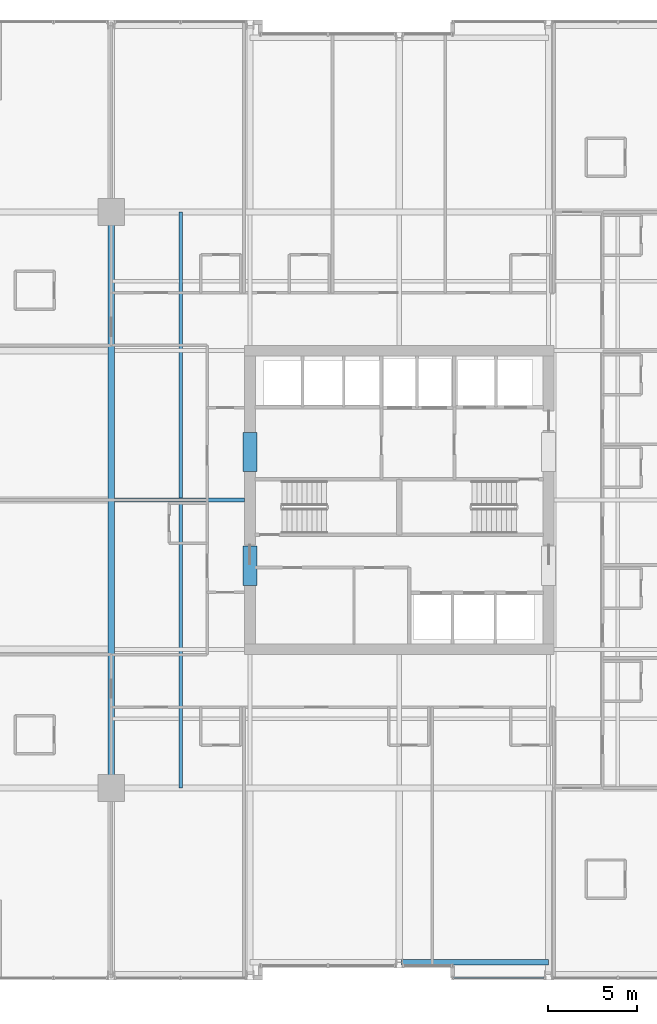
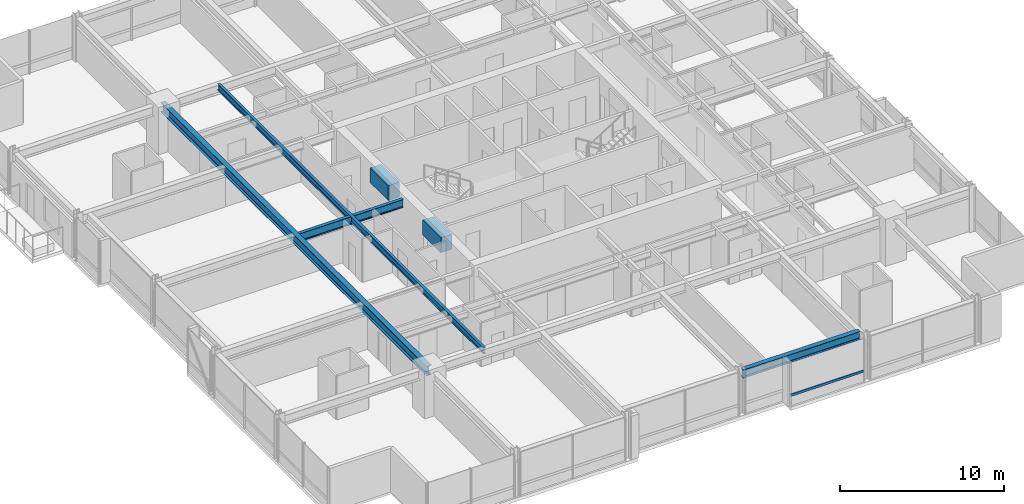
# One storey, part 10 of 34: 6 beams, 1 member, 1 element without a shape of its own.
"""IFC4 building model written with IfcOpenShell, lengths in metres."""

import ifcopenshell
import ifcopenshell.guid

model = None  # the IFC model being written
_history = None  # IfcOwnerHistory: only IFC2X3 demands one
_inside = {}  # id of a spatial element -> (the spatial element, [elements in it])
_under = {}  # id of a project, library or spatial element -> (it, [spatial elements below it])
_declared = {}  # id of a project -> (the project, [libraries it declares])
_typed = {}  # id of a type object -> (the type object, [elements of that type])
_made_of = {}  # id of a material, layer set ... -> (it, [elements and type objects made of it])


def new_model(schema):
    """Start an empty IFC model of exactly this schema.

    Asked for "IFC4X3", IfcOpenShell would pick the latest addendum, in which some entities
    have other attributes; the version numbers below select the first issue.
    IFC2X3 requires an IfcOwnerHistory on every rooted entity: one is made here for all.
    """
    global model, _history
    if schema == "IFC4X3":
        model = ifcopenshell.file(schema_version=(4, 3, 0, 0))
    else:
        model = ifcopenshell.file(schema=schema)
    _inside.clear()
    _under.clear()
    _declared.clear()
    _typed.clear()
    _made_of.clear()
    _history = None
    if model.schema == "IFC2X3":
        org = make("IfcOrganization", Name="unknown")
        user = make(
            "IfcPersonAndOrganization",
            ThePerson=make("IfcPerson", FamilyName="unknown"),
            TheOrganization=org,
        )
        app = make(
            "IfcApplication",
            ApplicationDeveloper=org,
            Version="unknown",
            ApplicationFullName="unknown",
            ApplicationIdentifier="unknown",
        )
        _history = make(
            "IfcOwnerHistory",
            OwningUser=user,
            OwningApplication=app,
            ChangeAction="ADDED",
            CreationDate=0,
        )
    return model


def make(cls, **values):
    """One entity of the class cls with the attributes given. An attribute that is None is left unset."""
    return model.create_entity(
        cls, **{name: value for name, value in values.items() if value is not None}
    )


def rooted(cls, **values):
    """An entity with a GlobalId (a new one), such as an element, a storey or a relation."""
    return make(cls, GlobalId=ifcopenshell.guid.new(), OwnerHistory=_history, **values)


def si_unit(unit_type, name, prefix=None):
    """IfcSIUnit, for example si_unit("LENGTHUNIT", "METRE", prefix="MILLI")."""
    return make("IfcSIUnit", UnitType=unit_type, Prefix=prefix, Name=name)


def assignment(units):
    """IfcUnitAssignment: the units of a project."""
    return None if units is None else make("IfcUnitAssignment", Units=units)


def point(xyz):
    """IfcCartesianPoint."""
    return None if xyz is None else make("IfcCartesianPoint", Coordinates=xyz)


def direction(xyz):
    """IfcDirection."""
    return None if xyz is None else make("IfcDirection", DirectionRatios=xyz)


def frame(location, z_axis=None, x_axis=None):
    """IfcAxis2Placement3D, a coordinate frame: its origin and axes. An axis left out is left unset."""
    return make(
        "IfcAxis2Placement3D",
        Location=point(location),
        Axis=direction(z_axis),
        RefDirection=direction(x_axis),
    )


def frame_2d(location, x_axis=None):
    """IfcAxis2Placement2D, a coordinate frame in the plane: its origin and x axis."""
    return make(
        "IfcAxis2Placement2D", Location=point(location), RefDirection=direction(x_axis)
    )


def origin():
    """The frame at (0, 0, 0) with its axes left unset."""
    return frame((0.0, 0.0, 0.0))


def origin_2d():
    """The frame at (0, 0) in the plane with its x axis left unset."""
    return frame_2d((0.0, 0.0))


def place(relative_to, where):
    """IfcLocalPlacement: puts the frame where relative to a parent placement (None: the world)."""
    return make(
        "IfcLocalPlacement", PlacementRelTo=relative_to, RelativePlacement=where
    )


def context(
    kind, dimensions, precision=None, world=None, true_north=None, identifier=None
):
    """IfcGeometricRepresentationContext, for example the 3D "Model" context."""
    return make(
        "IfcGeometricRepresentationContext",
        ContextIdentifier=identifier,
        ContextType=kind,
        CoordinateSpaceDimension=dimensions,
        Precision=precision,
        WorldCoordinateSystem=world,
        TrueNorth=true_north,
    )


def subcontext(parent, identifier, kind, view, scale=None):
    """IfcGeometricRepresentationSubContext, for example "Body" below "Model"."""
    return make(
        "IfcGeometricRepresentationSubContext",
        ContextIdentifier=identifier,
        ContextType=kind,
        ParentContext=parent,
        TargetScale=scale,
        TargetView=view,
    )


def project(units=None, contexts=None):
    """IfcProject with its units and contexts."""
    return rooted(
        "IfcProject",
        Name="project",
        RepresentationContexts=contexts,
        UnitsInContext=assignment(units),
    )


def spatial(cls, under=None, at=None, **own):
    """A site, building, storey or space (cls), placed at a placement, below another one or the project."""
    s = rooted(cls, ObjectPlacement=at, **own)
    if under is not None:
        _under.setdefault(under.id(), (under, []))[1].append(s)
    return s


def profile(cls, at=None, kind="AREA", **sizes):
    """A parametric profile (cls). Its sizes go by their IFC names, for example OverallWidth=200.0."""
    return make(cls, ProfileType=kind, Position=at, **sizes)


def rectangle(**sizes):
    """IfcRectangleProfileDef."""
    return profile("IfcRectangleProfileDef", **sizes)


def hollow_rectangle(**sizes):
    """IfcRectangleHollowProfileDef."""
    return profile("IfcRectangleHollowProfileDef", **sizes)


def i_section(**sizes):
    """IfcIShapeProfileDef."""
    return profile("IfcIShapeProfileDef", **sizes)


def extrude(swept, where, along, depth):
    """IfcExtrudedAreaSolid: the profile swept, set in the frame where, extruded along a direction by depth."""
    return make(
        "IfcExtrudedAreaSolid",
        SweptArea=swept,
        Position=where,
        ExtrudedDirection=direction(along),
        Depth=depth,
    )


def shape(context_of_items, identifier, shape_type, items):
    """IfcShapeRepresentation: the items that make up one representation, for example the "Body"."""
    return make(
        "IfcShapeRepresentation",
        ContextOfItems=context_of_items,
        RepresentationIdentifier=identifier,
        RepresentationType=shape_type,
        Items=items,
    )


def material(Name=None, Category=None):
    """IfcMaterial."""
    return make("IfcMaterial", Name=Name, Category=Category)


def layer(
    of_material, thickness, ventilated=None, Name=None, Category=None, Priority=None
):
    """IfcMaterialLayer: one layer of a wall or slab, of a material (None: an air gap)."""
    return make(
        "IfcMaterialLayer",
        Material=of_material,
        LayerThickness=thickness,
        IsVentilated=ventilated,
        Name=Name,
        Category=Category,
        Priority=Priority,
    )


def layer_set(layers, Name=None):
    """IfcMaterialLayerSet."""
    return make("IfcMaterialLayerSet", MaterialLayers=layers, LayerSetName=Name)


def material_profile(
    of_material, cross_section, Name=None, Category=None, Priority=None
):
    """IfcMaterialProfile: a cross section and its material."""
    return make(
        "IfcMaterialProfile",
        Name=Name,
        Material=of_material,
        Profile=cross_section,
        Priority=Priority,
        Category=Category,
    )


def profile_set(profiles, Name=None, composite=None):
    """IfcMaterialProfileSet."""
    return make(
        "IfcMaterialProfileSet",
        Name=Name,
        MaterialProfiles=profiles,
        CompositeProfile=composite,
    )


def made_of(thing, what):
    """Note that an element or type object is made of a material, layer set ...; save() writes the relation."""
    if what is not None:
        _made_of.setdefault(what.id(), (what, []))[1].append(thing)
    return thing


def type_object(cls, material=None, **own):
    """A type object (cls), such as IfcWallType, which elements share."""
    return made_of(rooted(cls, **own), material)


def element(
    cls,
    number,
    at=None,
    inside=None,
    cuts=None,
    type_object=None,
    material=None,
    context=None,
    identifier="Body",
    shape_type=None,
    held_by="IfcProductDefinitionShape",
    body=None,
    shapes=None,
    **own,
):
    """One element of the class cls, such as IfcWall. Its Tag is "e" and its number.

    at: its placement. inside: the storey or other place that contains it. cuts: it is an
    opening in that element (IfcRelVoidsElement). A single representation is given by context,
    identifier, shape_type and body (its items); several are given by shapes. held_by: the class
    of the entity that holds the representations. save() writes the other relations.
    """
    e = rooted(cls, Tag="e%d" % number, ObjectPlacement=at, **own)
    if body is not None:
        shapes = [shape(context, identifier, shape_type, body)]
    if shapes is not None:
        e.Representation = make(held_by, Representations=shapes)
    if inside is not None:
        _inside.setdefault(inside.id(), (inside, []))[1].append(e)
    if cuts is not None:
        rooted(
            "IfcRelVoidsElement", RelatingBuildingElement=cuts, RelatedOpeningElement=e
        )
    if type_object is not None:
        _typed.setdefault(type_object.id(), (type_object, []))[1].append(e)
    return made_of(e, material)


def aggregate(whole, parts):
    """IfcRelAggregates: a whole, such as a stair, and the parts it consists of."""
    return rooted("IfcRelAggregates", RelatingObject=whole, RelatedObjects=parts)


def save(model, path):
    """Write the relations noted so far, then the file.

    IfcRelAggregates (storeys below a building ...), IfcRelContainedInSpatialStructure (elements
    in a storey), IfcRelDefinesByType, IfcRelAssociatesMaterial and IfcRelDeclares: one each for
    every whole, place, type object, material and project.
    """
    for whole, parts in _under.values():
        aggregate(whole, parts)
    for where, things in _inside.values():
        rooted(
            "IfcRelContainedInSpatialStructure",
            RelatedElements=things,
            RelatingStructure=where,
        )
    for kind, things in _typed.values():
        rooted("IfcRelDefinesByType", RelatedObjects=things, RelatingType=kind)
    for what, things in _made_of.values():
        rooted("IfcRelAssociatesMaterial", RelatedObjects=things, RelatingMaterial=what)
    for by, libraries in _declared.values():
        rooted("IfcRelDeclares", RelatingContext=by, RelatedDefinitions=libraries)
    model.write(path)


model = new_model("IFC4")

# Units and contexts
model_context = context("Model", 3, precision=1e-05, world=origin(), true_north=direction((0.0, 1.0)))
body_context = subcontext(model_context, "Body", "Model", "MODEL_VIEW")
ifc_project = project(units=[si_unit("LENGTHUNIT", "METRE"), si_unit("AREAUNIT", "SQUARE_METRE"), si_unit("VOLUMEUNIT", "CUBIC_METRE"), si_unit("PLANEANGLEUNIT", "RADIAN"), si_unit("MASSUNIT", "GRAM", prefix="KILO")], contexts=[model_context])

# Site, building, storey
site_placement = place(None, origin())
site = spatial("IfcSite", under=ifc_project, at=site_placement, CompositionType="ELEMENT")
building_placement = place(site_placement, origin())
building = spatial("IfcBuilding", under=site, at=building_placement, Name="Drelvath Grand Hotel", CompositionType="ELEMENT")
storey_placement = place(building_placement, frame((0.0, 0.0, 126.800048828125)))
storey = spatial("IfcBuildingStorey", under=building, at=storey_placement, Name="L32", CompositionType="ELEMENT", Elevation=126.800048828125)

# Beams
ifc_material_1 = material(Name="Steel ASTM A992 Gr 50", Category="steel")
ifc_material_profile_1 = material_profile(ifc_material_1, i_section(OverallWidth=0.19140625, OverallDepth=0.4599609375, WebThickness=0.010009765625, FlangeThickness=0.01611328125, FilletRadius=0.01611328125, at=origin_2d()), Name="W18X55")
ifc_profile_set_1 = profile_set([ifc_material_profile_1], Name="Steel ASTM A992 Gr 50")
beam_type_1 = type_object("IfcBeamType", Name="Composite Floor Joist W18X55", PredefinedType="JOIST", material=ifc_profile_set_1)
beam_1_placement = place(storey_placement, frame((-12.300048828125, 10.800048828125, 3.010009765625), z_axis=(0.0, 1.0, 0.0), x_axis=(-1.0, 0.0, 0.0)))
element("IfcBeam", 1, at=beam_1_placement, inside=storey, type_object=beam_type_1, Name="L32 Wing Floor Joist J3", PredefinedType="JOIST", context=body_context, shape_type="SweptSolid", body=[
    extrude(i_section(OverallWidth=0.19140625, OverallDepth=0.4599609375, WebThickness=0.010009765625, FlangeThickness=0.01611328125, FilletRadius=0.01611328125, at=origin_2d()), origin(), (0.0, 0.0, 1.0), 32.39990234375),
])
ifc_material_2 = material(Name="Concrete f'c 70 MPa", Category="concrete")
ifc_material_profile_2 = material_profile(ifc_material_2, rectangle(XDim=0.800048828125, YDim=1.10009765625, at=origin_2d()), Name="CB800X1100")
ifc_profile_set_2 = profile_set([ifc_material_profile_2], Name="Concrete f'c 70 MPa")
beam_type_2 = type_object("IfcBeamType", Name="Core Coupling Lintel CB800X1100", PredefinedType="LINTEL", material=ifc_profile_set_2)
for number, where, z_axis, x_axis, name in (
    (2, (-8.39990234375, 22.199951171875, 2.68994140625), (0.0, 1.0, 0.0), (-1.0, 0.0, 0.0), "L32 Core Coupling Lintel WS"),
    (3, (-8.39990234375, 28.60009765625, 2.68994140625), (0.0, 1.0, 0.0), (-1.0, 0.0, 0.0), "L32 Core Coupling Lintel WN"),
):
    element("IfcBeam", number, at=place(storey_placement, frame(where, z_axis=z_axis, x_axis=x_axis)), inside=storey, type_object=beam_type_2, Name=name, PredefinedType="LINTEL", context=body_context, shape_type="SweptSolid", body=[
        extrude(rectangle(XDim=0.800048828125, YDim=1.10009765625, at=origin_2d()), origin(), (0.0, 0.0, 1.0), 2.199951171875),
    ])

# Curtain wall, member
ifc_material_3 = material(Name="Champagne Bronze Anodised Aluminium Frame", Category="aluminium")
ifc_layer = layer(ifc_material_3, 0.199951171875)
ifc_layer_set = layer_set([ifc_layer], Name="Champagne Bronze Anodised Aluminium Frame")
curtain_wall_type = type_object("IfcCurtainWallType", Name="Stick Curtain Wall CW-03 Champagne Bronze Mid-Rise", PredefinedType="NOTDEFINED", material=ifc_layer_set)
curtain_wall_placement = place(storey_placement, origin())
curtain_wall = element("IfcCurtainWall", 4, at=curtain_wall_placement, inside=storey, type_object=curtain_wall_type, Name="L32 CW-03 Curtain Wall CW03-L32-SE1", PredefinedType="NOTDEFINED")
ifc_material_profile_3 = material_profile(ifc_material_3, hollow_rectangle(XDim=0.074951171875, YDim=0.179931640625, WallThickness=0.0048828125, at=origin_2d()), Name="HSS180X75X5")
ifc_profile_set_3 = profile_set([ifc_material_profile_3], Name="Champagne Bronze Anodised Aluminium Frame")
member_type = type_object("IfcMemberType", Name="Curtain Wall Horizontal Transom CW-03 HSS180X75X5", PredefinedType="USERDEFINED", material=ifc_profile_set_3)
member_placement = place(storey_placement, frame((8.150634765625, 0.1201171875, 0.81005859375), z_axis=(-1.0, 0.0, 0.0), x_axis=(0.0, -1.0, 0.0)))
member = element("IfcMember", 5, at=member_placement, type_object=member_type, Name="CW03-L32-SE1 Sill Transom", ObjectType="TRANSOM", PredefinedType="USERDEFINED", context=body_context, shape_type="SweptSolid", body=[
    extrude(hollow_rectangle(XDim=0.074951171875, YDim=0.179931640625, WallThickness=0.0048828125, at=origin_2d()), origin(), (0.0, 0.0, 1.0), 5.110595703125),
])
aggregate(curtain_wall, [member])

# Beams
ifc_material_profile_4 = material_profile(ifc_material_1, i_section(OverallWidth=0.323974609375, OverallDepth=0.611083984375, WebThickness=0.0126953125, FlangeThickness=0.01904296875, FilletRadius=0.02197265625, at=origin_2d()), Name="W24X104")
ifc_profile_set_4 = profile_set([ifc_material_profile_4], Name="Steel ASTM A992 Gr 50")
beam_type_3 = type_object("IfcBeamType", Name="Perimeter Spandrel Beam W24X104", PredefinedType="SPANDREL", material=ifc_profile_set_4)
beam_2_placement = place(storey_placement, frame((0.139892578125, 1.0, 2.934326171875), z_axis=(1.0, 0.0, 0.0), x_axis=(0.0, 1.0, 0.0)))
element("IfcBeam", 6, at=beam_2_placement, inside=storey, type_object=beam_type_3, Name="L32 Spandrel South Mid E", PredefinedType="SPANDREL", context=body_context, shape_type="SweptSolid", body=[
    extrude(i_section(OverallWidth=0.323974609375, OverallDepth=0.611083984375, WebThickness=0.0126953125, FlangeThickness=0.01904296875, FilletRadius=0.02197265625, at=origin_2d()), origin(), (0.0, 0.0, 1.0), 8.260009765625),
])
ifc_material_profile_5 = material_profile(ifc_material_1, i_section(OverallWidth=0.228271484375, OverallDepth=0.607666015625, WebThickness=0.01123046875, FlangeThickness=0.017333984375, FilletRadius=0.02001953125, at=origin_2d()), Name="W24X76")
ifc_profile_set_5 = profile_set([ifc_material_profile_5], Name="Steel ASTM A992 Gr 50")
beam_type_4 = type_object("IfcBeamType", Name="Primary Floor Girder W24X76", PredefinedType="BEAM", material=ifc_profile_set_5)
beam_3_placement = place(storey_placement, frame((-16.022705078125, 27.0, 2.93603515625), z_axis=(1.0, 0.0, 0.0), x_axis=(0.0, 1.0, 0.0)))
element("IfcBeam", 7, at=beam_3_placement, inside=storey, type_object=beam_type_4, Name="L32 West Core Tie E", PredefinedType="BEAM", context=body_context, shape_type="SweptSolid", body=[
    extrude(i_section(OverallWidth=0.228271484375, OverallDepth=0.607666015625, WebThickness=0.01123046875, FlangeThickness=0.017333984375, FilletRadius=0.02001953125, at=origin_2d()), origin(), (0.0, 0.0, 1.0), 7.32275390625),
])
ifc_material_profile_6 = material_profile(ifc_material_1, i_section(OverallWidth=0.354736328125, OverallDepth=0.695556640625, WebThickness=0.015380859375, FlangeThickness=0.025146484375, FilletRadius=0.02392578125, at=origin_2d()), Name="W27X146")
ifc_profile_set_6 = profile_set([ifc_material_profile_6], Name="Steel ASTM A992 Gr 50")
beam_type_5 = type_object("IfcBeamType", Name="Primary Floor Girder W27X146", PredefinedType="BEAM", material=ifc_profile_set_6)
beam_4_placement = place(storey_placement, frame((-16.199951171875, 10.800048828125, 2.892333984375), z_axis=(0.0, 1.0, 0.0), x_axis=(-1.0, 0.0, 0.0)))
element("IfcBeam", 8, at=beam_4_placement, inside=storey, type_object=beam_type_5, Name="L32 Mega Ring Girder West", PredefinedType="BEAM", context=body_context, shape_type="SweptSolid", body=[
    extrude(i_section(OverallWidth=0.354736328125, OverallDepth=0.695556640625, WebThickness=0.015380859375, FlangeThickness=0.025146484375, FilletRadius=0.02392578125, at=origin_2d()), origin(), (0.0, 0.0, 1.0), 32.39990234375),
])

save(model, "model.ifc")
